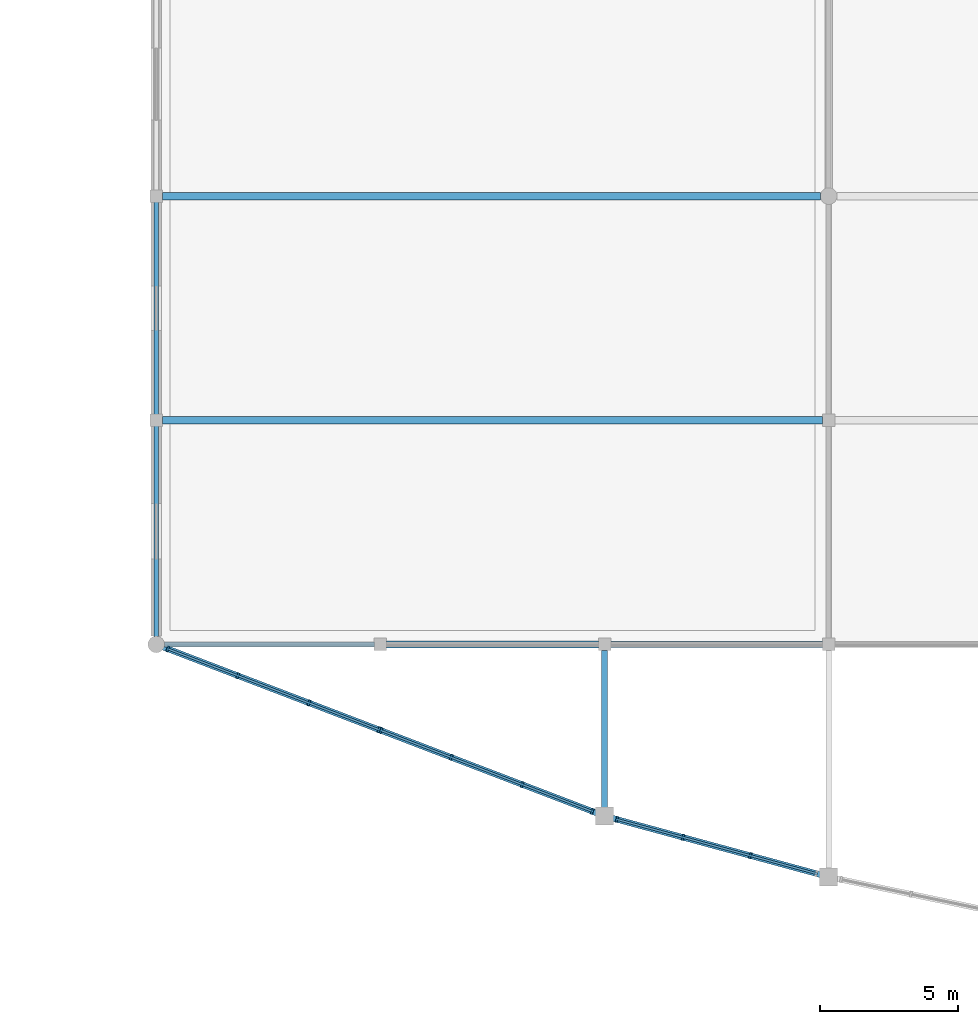
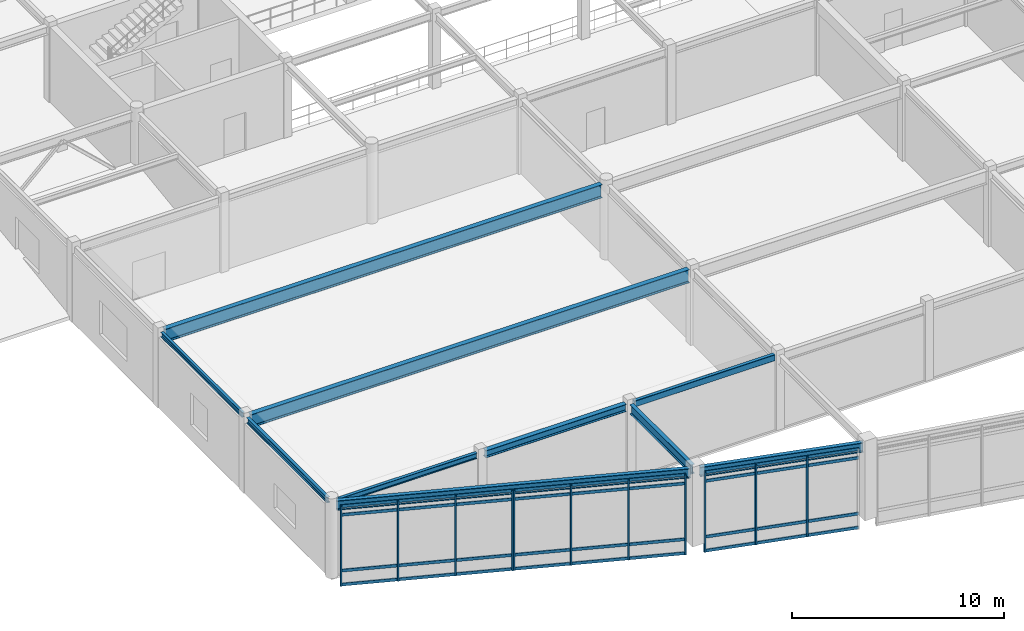
# One storey, part 18 of 93: 23 members, 10 beams, 3 elements without a shape of their own.
"""IFC4 building model written with IfcOpenShell, lengths in metres."""

from ifc_helpers import new_model, si_unit, direction, frame, origin, origin_2d, place, context, subcontext, project, spatial, rectangle, hollow_rectangle, i_section, extrude, material, layer, layer_set, material_profile, profile_set, type_object, element, aggregate, save


model = new_model("IFC4")

# Units and contexts
model_context = context("Model", 3, precision=1e-05, world=origin(), true_north=direction((0.0, 1.0)))
body_context = subcontext(model_context, "Body", "Model", "MODEL_VIEW")
ifc_project = project(units=[si_unit("LENGTHUNIT", "METRE"), si_unit("AREAUNIT", "SQUARE_METRE"), si_unit("VOLUMEUNIT", "CUBIC_METRE"), si_unit("PLANEANGLEUNIT", "RADIAN"), si_unit("MASSUNIT", "GRAM", prefix="KILO")], contexts=[model_context])

# Site, building, storey
site_placement = place(None, origin())
site = spatial("IfcSite", under=ifc_project, at=site_placement, CompositionType="ELEMENT")
building_placement = place(site_placement, origin())
building = spatial("IfcBuilding", under=site, at=building_placement, Name="Vaudrelin Polytechnic", CompositionType="ELEMENT")
storey_placement = place(building_placement, frame((0.0, 0.0, 5.10009765625)))
storey = spatial("IfcBuildingStorey", under=building, at=storey_placement, Name="L01", CompositionType="ELEMENT", Elevation=5.10009765625)

# Beams
ifc_material_1 = material(Name="Steel CSA G40.21 350WT", Category="steel")
ifc_material_profile_1 = material_profile(ifc_material_1, i_section(OverallWidth=0.260009765625, OverallDepth=0.4150390625, WebThickness=0.010009765625, FlangeThickness=0.016845703125, FilletRadius=0.01611328125, at=origin_2d()), Name="W410x100")
ifc_profile_set_1 = profile_set([ifc_material_profile_1], Name="Steel CSA G40.21 350WT")
beam_type_1 = type_object("IfcBeamType", Name="BM-BM-W410H", PredefinedType="SPANDREL", material=ifc_profile_set_1)
beam_1_placement = place(storey_placement, frame((48.821044921875, 0.0, 4.102294921875), z_axis=(1.0, 0.0, 0.0), x_axis=(0.0, 1.0, 0.0)))
element("IfcBeam", 1, at=beam_1_placement, inside=storey, type_object=beam_type_1, Name="L01 X-beam 7-1", PredefinedType="SPANDREL", context=body_context, shape_type="SweptSolid", body=[
    extrude(i_section(OverallWidth=0.260009765625, OverallDepth=0.4150390625, WebThickness=0.010009765625, FlangeThickness=0.016845703125, FilletRadius=0.01611328125, at=origin_2d()), origin(), (0.0, 0.0, 1.0), 7.657958984375),
])
ifc_material_2 = material(Name="Steel CSA G40.21 350W", Category="steel")
ifc_material_profile_2 = material_profile(ifc_material_2, i_section(OverallWidth=0.208984375, OverallDepth=0.532958984375, WebThickness=0.01025390625, FlangeThickness=0.015625, FilletRadius=0.01904296875, at=origin_2d()), Name="W530x92")
ifc_profile_set_2 = profile_set([ifc_material_profile_2], Name="Steel CSA G40.21 350W")
beam_type_2 = type_object("IfcBeamType", Name="BM-BM-W530", PredefinedType="BEAM", material=ifc_profile_set_2)
beam_2_placement = place(storey_placement, frame((56.699951171875, -5.97998046875, 4.04345703125), z_axis=(0.0, 1.0, 0.0), x_axis=(-1.0, 0.0, 0.0)))
element("IfcBeam", 2, at=beam_2_placement, inside=storey, type_object=beam_type_2, Name="Sculptural edge beam L01 V2P_TIE_7", PredefinedType="BEAM", context=body_context, shape_type="SweptSolid", body=[
    extrude(i_section(OverallWidth=0.208984375, OverallDepth=0.532958984375, WebThickness=0.01025390625, FlangeThickness=0.015625, FilletRadius=0.01904296875, at=origin_2d()), origin(), (0.0, 0.0, 1.0), 5.760009765625),
])
ifc_material_profile_3 = material_profile(ifc_material_2, i_section(OverallWidth=0.214111328125, OverallDepth=0.549072265625, WebThickness=0.0146484375, FlangeThickness=0.023681640625, FilletRadius=0.01904296875, at=origin_2d()), Name="W530x138")
ifc_profile_set_3 = profile_set([ifc_material_profile_3], Name="Steel CSA G40.21 350W")
beam_type_3 = type_object("IfcBeamType", Name="BM-BM-W530H", PredefinedType="BEAM", material=ifc_profile_set_3)
beam_3_placement = place(storey_placement, frame((40.70556640625, -0.07861328125, 4.035400390625), z_axis=(0.933936876912, -0.357437980555, 0.0), x_axis=(0.357437980555, 0.933936876912, 0.0)))
element("IfcBeam", 3, at=beam_3_placement, inside=storey, type_object=beam_type_3, Name="Sculptural edge beam L01 V2P_BM_1", PredefinedType="BEAM", context=body_context, shape_type="SweptSolid", body=[
    extrude(i_section(OverallWidth=0.214111328125, OverallDepth=0.549072265625, WebThickness=0.0146484375, FlangeThickness=0.023681640625, FilletRadius=0.01904296875, at=origin_2d()), origin(), (0.0, 0.0, 1.0), 16.90576171875),
])
beam_4_placement = place(storey_placement, frame((56.912353515625, -6.2578125, 4.035400390625), z_axis=(0.965043793818, -0.262088679675, 0.0), x_axis=(0.262088679675, 0.965043793818, 0.0)))
element("IfcBeam", 4, at=beam_4_placement, inside=storey, type_object=beam_type_3, Name="Sculptural edge beam L01 V2P_BM_2", PredefinedType="BEAM", context=body_context, shape_type="SweptSolid", body=[
    extrude(i_section(OverallWidth=0.214111328125, OverallDepth=0.549072265625, WebThickness=0.0146484375, FlangeThickness=0.023681640625, FilletRadius=0.01904296875, at=origin_2d()), origin(), (0.0, 0.0, 1.0), 7.953369140625),
])
ifc_material_profile_4 = material_profile(ifc_material_2, i_section(OverallWidth=0.26611328125, OverallDepth=0.758056640625, WebThickness=0.013916015625, FlangeThickness=0.019287109375, FilletRadius=0.02197265625, at=origin_2d()), Name="W760x161")
ifc_profile_set_4 = profile_set([ifc_material_profile_4], Name="Steel CSA G40.21 350W")
beam_type_4 = type_object("IfcBeamType", Name="BM-BM-W760", PredefinedType="BEAM", material=ifc_profile_set_4)
beam_5_placement = place(storey_placement, frame((40.720947265625, 8.10009765625, 3.930908203125), z_axis=(1.0, 0.0, 0.0), x_axis=(0.0, 1.0, 0.0)))
element("IfcBeam", 5, at=beam_5_placement, inside=storey, type_object=beam_type_4, Name="Lecture hall clear-span girder L01-1A", PredefinedType="BEAM", context=body_context, shape_type="SweptSolid", body=[
    extrude(i_section(OverallWidth=0.26611328125, OverallDepth=0.758056640625, WebThickness=0.013916015625, FlangeThickness=0.019287109375, FilletRadius=0.02197265625, at=origin_2d()), origin(), (0.0, 0.0, 1.0), 23.858154296875),
])
beam_6_placement = place(storey_placement, frame((40.720947265625, 16.199951171875, 3.930908203125), z_axis=(1.0, 0.0, 0.0), x_axis=(0.0, 1.0, 0.0)))
element("IfcBeam", 6, at=beam_6_placement, inside=storey, type_object=beam_type_4, Name="Lecture hall clear-span girder L01-2A", PredefinedType="BEAM", context=body_context, shape_type="SweptSolid", body=[
    extrude(i_section(OverallWidth=0.26611328125, OverallDepth=0.758056640625, WebThickness=0.013916015625, FlangeThickness=0.019287109375, FilletRadius=0.02197265625, at=origin_2d()), origin(), (0.0, 0.0, 1.0), 23.782958984375),
])
ifc_material_profile_5 = material_profile(ifc_material_2, i_section(OverallWidth=0.14794921875, OverallDepth=0.26611328125, WebThickness=0.007568359375, FlangeThickness=0.012939453125, FilletRadius=0.012939453125, at=origin_2d()), Name="W250x45")
ifc_profile_set_5 = profile_set([ifc_material_profile_5], Name="Steel CSA G40.21 350W")
beam_type_5 = type_object("IfcBeamType", Name="BM-JS-W250", PredefinedType="JOIST", material=ifc_profile_set_5)
beam_7_placement = place(storey_placement, frame((40.5, 8.31005859375, 4.177001953125), z_axis=(0.0, 1.0, 0.0), x_axis=(-1.0, 0.0, 0.0)))
element("IfcBeam", 7, at=beam_7_placement, inside=storey, type_object=beam_type_5, Name="L01 Y-beam 6-2", PredefinedType="JOIST", context=body_context, shape_type="SweptSolid", body=[
    extrude(i_section(OverallWidth=0.14794921875, OverallDepth=0.26611328125, WebThickness=0.007568359375, FlangeThickness=0.012939453125, FilletRadius=0.012939453125, at=origin_2d()), origin(), (0.0, 0.0, 1.0), 7.679931640625),
])
ifc_material_profile_6 = material_profile(ifc_material_2, i_section(OverallWidth=0.1669921875, OverallDepth=0.31689453125, WebThickness=0.007568359375, FlangeThickness=0.01318359375, FilletRadius=0.013916015625, at=origin_2d()), Name="W310x52")
ifc_profile_set_6 = profile_set([ifc_material_profile_6], Name="Steel CSA G40.21 350W")
beam_type_6 = type_object("IfcBeamType", Name="BM-JS-W310", PredefinedType="JOIST", material=ifc_profile_set_6)
beam_8_placement = place(storey_placement, frame((40.5, 0.284912109375, 4.1513671875), z_axis=(0.0, 1.0, 0.0), x_axis=(-1.0, 0.0, 0.0)))
element("IfcBeam", 8, at=beam_8_placement, inside=storey, type_object=beam_type_6, Name="L01 Y-beam 6-1", PredefinedType="JOIST", context=body_context, shape_type="SweptSolid", body=[
    extrude(i_section(OverallWidth=0.1669921875, OverallDepth=0.31689453125, WebThickness=0.007568359375, FlangeThickness=0.01318359375, FilletRadius=0.013916015625, at=origin_2d()), origin(), (0.0, 0.0, 1.0), 7.60498046875),
])
beam_9_placement = place(storey_placement, frame((40.7958984375, 0.0, 4.1513671875), z_axis=(1.0, 0.0, 0.0), x_axis=(0.0, 1.0, 0.0)))
element("IfcBeam", 9, at=beam_9_placement, inside=storey, type_object=beam_type_6, Name="L01 X-beam 6-1", PredefinedType="JOIST", context=body_context, shape_type="SweptSolid", body=[
    extrude(i_section(OverallWidth=0.1669921875, OverallDepth=0.31689453125, WebThickness=0.007568359375, FlangeThickness=0.01318359375, FilletRadius=0.013916015625, at=origin_2d()), origin(), (0.0, 0.0, 1.0), 7.5830078125),
])
ifc_material_profile_7 = material_profile(ifc_material_1, hollow_rectangle(XDim=0.202880859375, YDim=0.35595703125, WallThickness=0.0126953125, InnerFilletRadius=0.0126953125, OuterFilletRadius=0.025390625, at=origin_2d()), Name="HSS356x203x12.7")
ifc_profile_set_7 = profile_set([ifc_material_profile_7], Name="Steel CSA G40.21 350WT")
beam_type_7 = type_object("IfcBeamType", Name="BM-SP-HSS35", PredefinedType="SPANDREL", material=ifc_profile_set_7)
beam_10_placement = place(storey_placement, frame((56.9208984375, 0.0, 4.1318359375), z_axis=(1.0, 0.0, 0.0), x_axis=(0.0, 1.0, 0.0)))
element("IfcBeam", 10, at=beam_10_placement, inside=storey, type_object=beam_type_7, Name="L01 X-beam 8-1", PredefinedType="SPANDREL", context=body_context, shape_type="SweptSolid", body=[
    extrude(hollow_rectangle(XDim=0.202880859375, YDim=0.35595703125, WallThickness=0.0126953125, InnerFilletRadius=0.0126953125, OuterFilletRadius=0.025390625, at=origin_2d()), origin(), (0.0, 0.0, 1.0), 7.658203125),
])

# Curtain wall, members
ifc_material_3 = material(Name="Thermally broken anodised aluminium AA 6063-T6 and low-e triple glazing", Category="aluminium")
ifc_layer = layer(ifc_material_3, 0.199951171875)
ifc_layer_set = layer_set([ifc_layer], Name="Thermally broken anodised aluminium AA 6063-T6 and low-e triple glazing")
curtain_wall_type = type_object("IfcCurtainWallType", Name="CW-CW-WG", PredefinedType="USERDEFINED", material=ifc_layer_set)
curtain_wall_1_placement = place(storey_placement, origin())
curtain_wall_1 = element("IfcCurtainWall", 11, at=curtain_wall_1_placement, inside=storey, type_object=curtain_wall_type, Name="Curtain wall L01 V2P_1_0", ObjectType="CURTAIN WALL", PredefinedType="USERDEFINED")
ifc_material_4 = material(Name="Anodised aluminium AA 6063-T6", Category="aluminium")
ifc_material_profile_8 = material_profile(ifc_material_4, rectangle(XDim=0.074951171875, YDim=0.219970703125, at=origin_2d()), Name="CWM-75x220")
ifc_profile_set_8 = profile_set([ifc_material_profile_8], Name="Anodised aluminium AA 6063-T6")
member_type_1 = type_object("IfcMemberType", Name="MEM-CWM-220", PredefinedType="MULLION", material=ifc_profile_set_8)
member_1_placement = place(storey_placement, frame((40.916748046875, -0.159423828125, -0.630126953125), z_axis=(0.0, 0.0, 1.0), x_axis=(0.933939211691, -0.357431880036, 0.0)))
member_1 = element("IfcMember", 12, at=member_1_placement, type_object=member_type_1, Name="V2P_1_0 mullion 1", PredefinedType="MULLION", context=body_context, shape_type="SweptSolid", body=[
    extrude(rectangle(XDim=0.074951171875, YDim=0.219970703125, at=origin_2d()), origin(), (0.0, 0.0, 1.0), 4.610107421875),
])
member_2_placement = place(storey_placement, frame((43.44873046875, -1.12841796875, -0.630126953125), z_axis=(0.0, 0.0, 1.0), x_axis=(0.933939211691, -0.357431880036, 0.0)))
member_2 = element("IfcMember", 13, at=member_2_placement, type_object=member_type_1, Name="V2P_1_0 mullion 2", PredefinedType="MULLION", context=body_context, shape_type="SweptSolid", body=[
    extrude(rectangle(XDim=0.074951171875, YDim=0.219970703125, at=origin_2d()), origin(), (0.0, 0.0, 1.0), 4.610107421875),
])
member_3_placement = place(storey_placement, frame((46.01806640625, -2.11181640625, -0.630126953125), z_axis=(0.0, 0.0, 1.0), x_axis=(0.933939211691, -0.357431880036, 0.0)))
member_3 = element("IfcMember", 14, at=member_3_placement, type_object=member_type_1, Name="V2P_1_0 mullion 3", PredefinedType="MULLION", context=body_context, shape_type="SweptSolid", body=[
    extrude(rectangle(XDim=0.074951171875, YDim=0.219970703125, at=origin_2d()), origin(), (0.0, 0.0, 1.0), 4.610107421875),
])
member_4_placement = place(storey_placement, frame((48.550048828125, -3.080810546875, -0.630126953125), z_axis=(0.0, 0.0, 1.0), x_axis=(0.933939211691, -0.357431880036, 0.0)))
member_4 = element("IfcMember", 15, at=member_4_placement, type_object=member_type_1, Name="V2P_1_0 mullion 4", PredefinedType="MULLION", context=body_context, shape_type="SweptSolid", body=[
    extrude(rectangle(XDim=0.074951171875, YDim=0.219970703125, at=origin_2d()), origin(), (0.0, 0.0, 1.0), 4.610107421875),
])

curtain_wall_2_placement = place(storey_placement, origin())
curtain_wall_2 = element("IfcCurtainWall", 16, at=curtain_wall_2_placement, inside=storey, type_object=curtain_wall_type, Name="Curtain wall L01 V2P_1_1", ObjectType="CURTAIN WALL", PredefinedType="USERDEFINED")
member_5_placement = place(storey_placement, frame((48.625, -3.109619140625, -0.630126953125), z_axis=(0.0, 0.0, 1.0), x_axis=(0.933939211691, -0.357431880036, 0.0)))
member_5 = element("IfcMember", 17, at=member_5_placement, type_object=member_type_1, Name="V2P_1_1 mullion 1", PredefinedType="MULLION", context=body_context, shape_type="SweptSolid", body=[
    extrude(rectangle(XDim=0.074951171875, YDim=0.219970703125, at=origin_2d()), origin(), (0.0, 0.0, 1.0), 4.610107421875),
])
member_6_placement = place(storey_placement, frame((51.156982421875, -4.07861328125, -0.630126953125), z_axis=(0.0, 0.0, 1.0), x_axis=(0.933939211691, -0.357431880036, 0.0)))
member_6 = element("IfcMember", 18, at=member_6_placement, type_object=member_type_1, Name="V2P_1_1 mullion 2", PredefinedType="MULLION", context=body_context, shape_type="SweptSolid", body=[
    extrude(rectangle(XDim=0.074951171875, YDim=0.219970703125, at=origin_2d()), origin(), (0.0, 0.0, 1.0), 4.610107421875),
])
member_7_placement = place(storey_placement, frame((53.726318359375, -5.06201171875, -0.630126953125), z_axis=(0.0, 0.0, 1.0), x_axis=(0.933939211691, -0.357431880036, 0.0)))
member_7 = element("IfcMember", 19, at=member_7_placement, type_object=member_type_1, Name="V2P_1_1 mullion 3", PredefinedType="MULLION", context=body_context, shape_type="SweptSolid", body=[
    extrude(rectangle(XDim=0.074951171875, YDim=0.219970703125, at=origin_2d()), origin(), (0.0, 0.0, 1.0), 4.610107421875),
])
member_8_placement = place(storey_placement, frame((56.25830078125, -6.031005859375, -0.630126953125), z_axis=(0.0, 0.0, 1.0), x_axis=(0.933939211691, -0.357431880036, 0.0)))
member_8 = element("IfcMember", 20, at=member_8_placement, type_object=member_type_1, Name="V2P_1_1 mullion 4", PredefinedType="MULLION", context=body_context, shape_type="SweptSolid", body=[
    extrude(rectangle(XDim=0.074951171875, YDim=0.219970703125, at=origin_2d()), origin(), (0.0, 0.0, 1.0), 4.610107421875),
])

curtain_wall_3_placement = place(storey_placement, origin())
curtain_wall_3 = element("IfcCurtainWall", 21, at=curtain_wall_3_placement, inside=storey, type_object=curtain_wall_type, Name="Curtain wall L01 V2P_2_0", ObjectType="CURTAIN WALL", PredefinedType="USERDEFINED")
member_9_placement = place(storey_placement, frame((57.1455078125, -6.321044921875, -0.630126953125), z_axis=(0.0, 0.0, 1.0), x_axis=(0.965042039381, -0.26209513965, 0.0)))
member_9 = element("IfcMember", 22, at=member_9_placement, type_object=member_type_1, Name="V2P_2_0 mullion 1", PredefinedType="MULLION", context=body_context, shape_type="SweptSolid", body=[
    extrude(rectangle(XDim=0.074951171875, YDim=0.219970703125, at=origin_2d()), origin(), (0.0, 0.0, 1.0), 4.610107421875),
])
member_10_placement = place(storey_placement, frame((59.53564453125, -6.97021484375, -0.630126953125), z_axis=(0.0, 0.0, 1.0), x_axis=(0.965042039381, -0.26209513965, 0.0)))
member_10 = element("IfcMember", 23, at=member_10_placement, type_object=member_type_1, Name="V2P_2_0 mullion 2", PredefinedType="MULLION", context=body_context, shape_type="SweptSolid", body=[
    extrude(rectangle(XDim=0.074951171875, YDim=0.219970703125, at=origin_2d()), origin(), (0.0, 0.0, 1.0), 4.610107421875),
])
member_11_placement = place(storey_placement, frame((61.96435546875, -7.6298828125, -0.630126953125), z_axis=(0.0, 0.0, 1.0), x_axis=(0.965042039381, -0.26209513965, 0.0)))
member_11 = element("IfcMember", 24, at=member_11_placement, type_object=member_type_1, Name="V2P_2_0 mullion 3", PredefinedType="MULLION", context=body_context, shape_type="SweptSolid", body=[
    extrude(rectangle(XDim=0.074951171875, YDim=0.219970703125, at=origin_2d()), origin(), (0.0, 0.0, 1.0), 4.610107421875),
])

# Member
ifc_material_profile_9 = material_profile(ifc_material_4, rectangle(XDim=0.074951171875, YDim=0.1650390625, at=origin_2d()), Name="CWT-75x165")
ifc_profile_set_9 = profile_set([ifc_material_profile_9], Name="Anodised aluminium AA 6063-T6")
member_type_2 = type_object("IfcMemberType", Name="MEM-CWT-165", PredefinedType="USERDEFINED", material=ifc_profile_set_9)
member_12_placement = place(storey_placement, frame((40.87939453125, -0.145263671875, -0.580078125), z_axis=(0.933939759615, -0.357430448354, 0.0), x_axis=(0.357430448354, 0.933939759615, 0.0)))
member_12 = element("IfcMember", 25, at=member_12_placement, type_object=member_type_2, Name="V2P_1_0 transom 1", ObjectType="TRANSOM", PredefinedType="USERDEFINED", context=body_context, shape_type="SweptSolid", body=[
    extrude(rectangle(XDim=0.074951171875, YDim=0.1650390625, at=origin_2d()), origin(), (0.0, 0.0, 1.0), 8.253173828125),
])

member_13_placement = place(storey_placement, frame((40.87939453125, -0.145263671875, 0.219970703125), z_axis=(0.933939759615, -0.357430448354, 0.0), x_axis=(0.357430448354, 0.933939759615, 0.0)))
member_13 = element("IfcMember", 26, at=member_13_placement, type_object=member_type_2, Name="V2P_1_0 transom 2", ObjectType="TRANSOM", PredefinedType="USERDEFINED", context=body_context, shape_type="SweptSolid", body=[
    extrude(rectangle(XDim=0.074951171875, YDim=0.1650390625, at=origin_2d()), origin(), (0.0, 0.0, 1.0), 8.253173828125),
])

member_14_placement = place(storey_placement, frame((40.87939453125, -0.145263671875, 3.429931640625), z_axis=(0.933939759615, -0.357430448354, 0.0), x_axis=(0.357430448354, 0.933939759615, 0.0)))
member_14 = element("IfcMember", 27, at=member_14_placement, type_object=member_type_2, Name="V2P_1_0 transom 3", ObjectType="TRANSOM", PredefinedType="USERDEFINED", context=body_context, shape_type="SweptSolid", body=[
    extrude(rectangle(XDim=0.074951171875, YDim=0.1650390625, at=origin_2d()), origin(), (0.0, 0.0, 1.0), 8.253173828125),
])

member_15_placement = place(storey_placement, frame((40.87939453125, -0.145263671875, 3.929931640625), z_axis=(0.933939759615, -0.357430448354, 0.0), x_axis=(0.357430448354, 0.933939759615, 0.0)))
member_15 = element("IfcMember", 28, at=member_15_placement, type_object=member_type_2, Name="V2P_1_0 transom 4", ObjectType="TRANSOM", PredefinedType="USERDEFINED", context=body_context, shape_type="SweptSolid", body=[
    extrude(rectangle(XDim=0.074951171875, YDim=0.1650390625, at=origin_2d()), origin(), (0.0, 0.0, 1.0), 8.253173828125),
])

aggregate(curtain_wall_1, [member_1, member_2, member_3, member_4, member_12, member_13, member_14, member_15])

member_16_placement = place(storey_placement, frame((48.58740234375, -3.09521484375, -0.580078125), z_axis=(0.933943538658, -0.357420573832, 0.0), x_axis=(0.357420573832, 0.933943538658, 0.0)))
member_16 = element("IfcMember", 29, at=member_16_placement, type_object=member_type_2, Name="V2P_1_1 transom 1", ObjectType="TRANSOM", PredefinedType="USERDEFINED", context=body_context, shape_type="SweptSolid", body=[
    extrude(rectangle(XDim=0.074951171875, YDim=0.1650390625, at=origin_2d()), origin(), (0.0, 0.0, 1.0), 8.25341796875),
])

member_17_placement = place(storey_placement, frame((48.58740234375, -3.09521484375, 0.219970703125), z_axis=(0.933943538658, -0.357420573832, 0.0), x_axis=(0.357420573832, 0.933943538658, 0.0)))
member_17 = element("IfcMember", 30, at=member_17_placement, type_object=member_type_2, Name="V2P_1_1 transom 2", ObjectType="TRANSOM", PredefinedType="USERDEFINED", context=body_context, shape_type="SweptSolid", body=[
    extrude(rectangle(XDim=0.074951171875, YDim=0.1650390625, at=origin_2d()), origin(), (0.0, 0.0, 1.0), 8.25341796875),
])

member_18_placement = place(storey_placement, frame((48.58740234375, -3.09521484375, 3.429931640625), z_axis=(0.933943538658, -0.357420573832, 0.0), x_axis=(0.357420573832, 0.933943538658, 0.0)))
member_18 = element("IfcMember", 31, at=member_18_placement, type_object=member_type_2, Name="V2P_1_1 transom 3", ObjectType="TRANSOM", PredefinedType="USERDEFINED", context=body_context, shape_type="SweptSolid", body=[
    extrude(rectangle(XDim=0.074951171875, YDim=0.1650390625, at=origin_2d()), origin(), (0.0, 0.0, 1.0), 8.25341796875),
])

member_19_placement = place(storey_placement, frame((48.58740234375, -3.09521484375, 3.929931640625), z_axis=(0.933943538658, -0.357420573832, 0.0), x_axis=(0.357420573832, 0.933943538658, 0.0)))
member_19 = element("IfcMember", 32, at=member_19_placement, type_object=member_type_2, Name="V2P_1_1 transom 4", ObjectType="TRANSOM", PredefinedType="USERDEFINED", context=body_context, shape_type="SweptSolid", body=[
    extrude(rectangle(XDim=0.074951171875, YDim=0.1650390625, at=origin_2d()), origin(), (0.0, 0.0, 1.0), 8.25341796875),
])

aggregate(curtain_wall_2, [member_5, member_6, member_7, member_8, member_16, member_17, member_18, member_19])

member_20_placement = place(storey_placement, frame((57.10693359375, -6.310546875, -0.580078125), z_axis=(0.965044595608, -0.262085727362, 0.0), x_axis=(0.262085727362, 0.965044595608, 0.0)))
member_20 = element("IfcMember", 33, at=member_20_placement, type_object=member_type_2, Name="V2P_2_0 transom 1", ObjectType="TRANSOM", PredefinedType="USERDEFINED", context=body_context, shape_type="SweptSolid", body=[
    extrude(rectangle(XDim=0.074951171875, YDim=0.1650390625, at=origin_2d()), origin(), (0.0, 0.0, 1.0), 7.550048828125),
])

member_21_placement = place(storey_placement, frame((57.10693359375, -6.310546875, 0.219970703125), z_axis=(0.965044595608, -0.262085727362, 0.0), x_axis=(0.262085727362, 0.965044595608, 0.0)))
member_21 = element("IfcMember", 34, at=member_21_placement, type_object=member_type_2, Name="V2P_2_0 transom 2", ObjectType="TRANSOM", PredefinedType="USERDEFINED", context=body_context, shape_type="SweptSolid", body=[
    extrude(rectangle(XDim=0.074951171875, YDim=0.1650390625, at=origin_2d()), origin(), (0.0, 0.0, 1.0), 7.550048828125),
])

member_22_placement = place(storey_placement, frame((57.10693359375, -6.310546875, 3.429931640625), z_axis=(0.965044595608, -0.262085727362, 0.0), x_axis=(0.262085727362, 0.965044595608, 0.0)))
member_22 = element("IfcMember", 35, at=member_22_placement, type_object=member_type_2, Name="V2P_2_0 transom 3", ObjectType="TRANSOM", PredefinedType="USERDEFINED", context=body_context, shape_type="SweptSolid", body=[
    extrude(rectangle(XDim=0.074951171875, YDim=0.1650390625, at=origin_2d()), origin(), (0.0, 0.0, 1.0), 7.550048828125),
])

member_23_placement = place(storey_placement, frame((57.10693359375, -6.310546875, 3.929931640625), z_axis=(0.965044595608, -0.262085727362, 0.0), x_axis=(0.262085727362, 0.965044595608, 0.0)))
member_23 = element("IfcMember", 36, at=member_23_placement, type_object=member_type_2, Name="V2P_2_0 transom 4", ObjectType="TRANSOM", PredefinedType="USERDEFINED", context=body_context, shape_type="SweptSolid", body=[
    extrude(rectangle(XDim=0.074951171875, YDim=0.1650390625, at=origin_2d()), origin(), (0.0, 0.0, 1.0), 7.550048828125),
])

aggregate(curtain_wall_3, [member_9, member_10, member_11, member_20, member_21, member_22, member_23])

save(model, "model.ifc")
